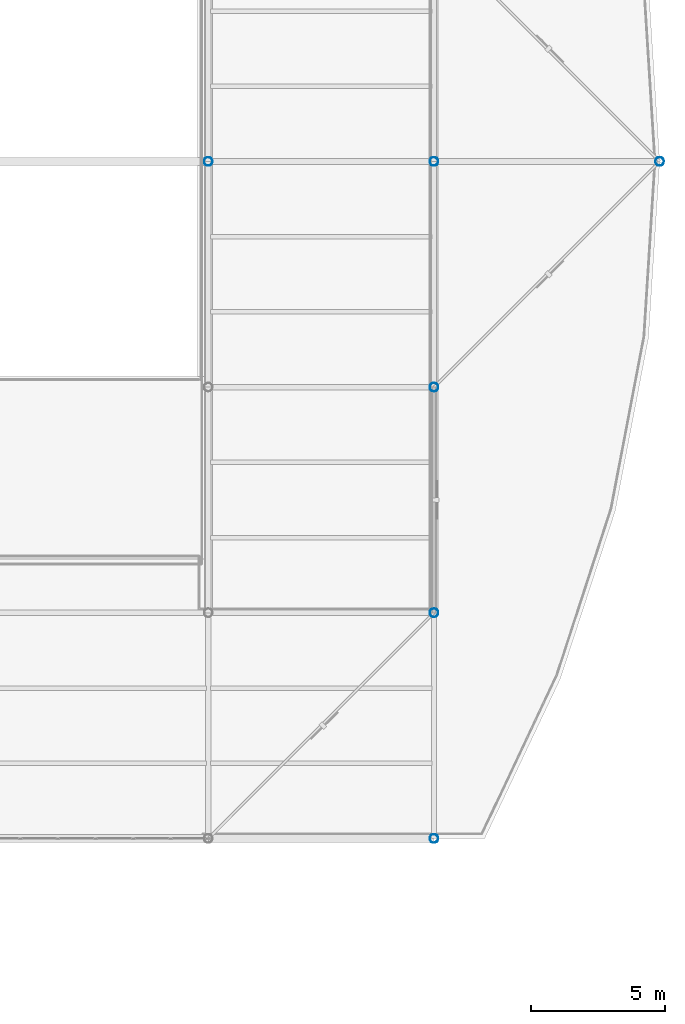
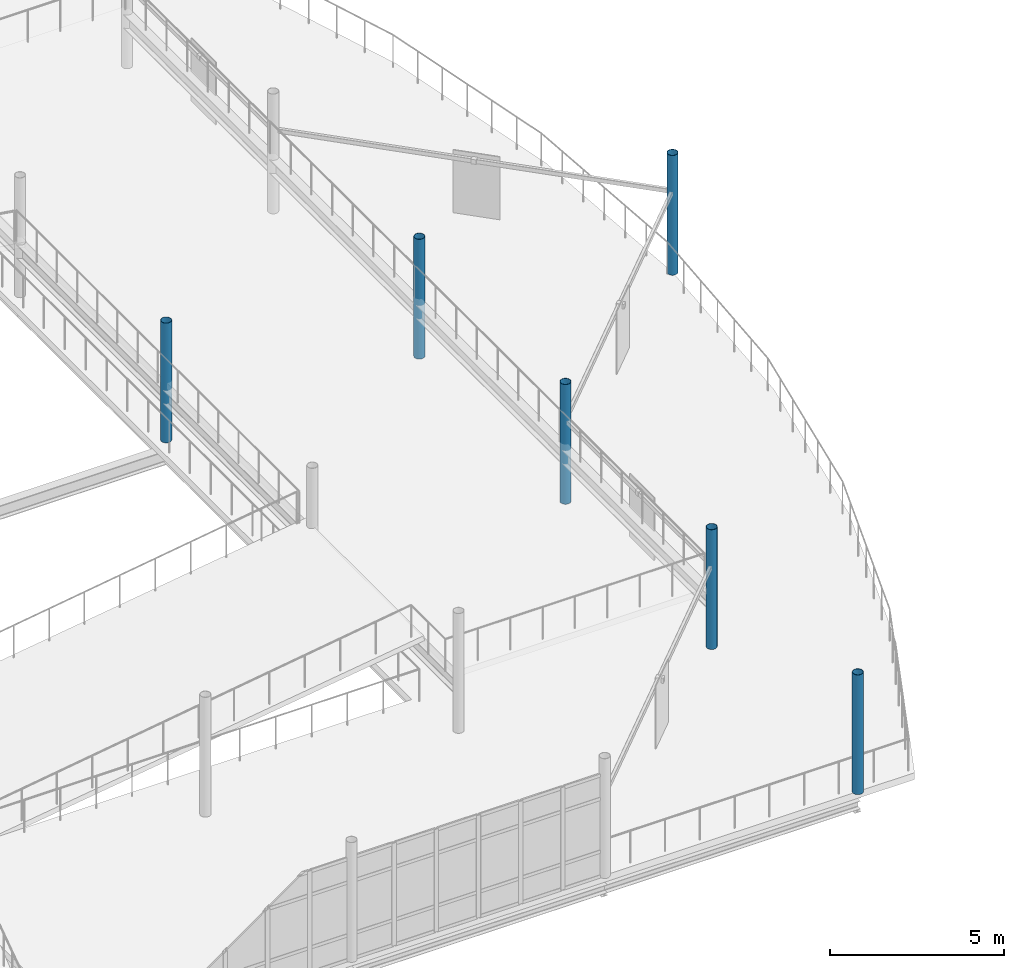
# One storey, part 12 of 69: 6 columns.
"""IFC4 building model written with IfcOpenShell, lengths in metres."""

from ifc_helpers import new_model, si_unit, direction, frame, origin, origin_2d, place, context, subcontext, project, spatial, hollow_circle, extrude, material, material_profile, profile_set, type_object, element, save


model = new_model("IFC4")

# Units and contexts
model_context = context("Model", 3, precision=1e-05, world=origin(), true_north=direction((0.0, 1.0)))
body_context = subcontext(model_context, "Body", "Model", "MODEL_VIEW")
ifc_project = project(units=[si_unit("LENGTHUNIT", "METRE"), si_unit("AREAUNIT", "SQUARE_METRE"), si_unit("VOLUMEUNIT", "CUBIC_METRE"), si_unit("PLANEANGLEUNIT", "RADIAN"), si_unit("MASSUNIT", "GRAM", prefix="KILO")], contexts=[model_context])

# Site, building, storey
site_placement = place(None, origin())
site = spatial("IfcSite", under=ifc_project, at=site_placement, CompositionType="ELEMENT")
building_placement = place(site_placement, origin())
building = spatial("IfcBuilding", under=site, at=building_placement, Name="Qalvenar Corner Mobility Hub", CompositionType="ELEMENT")
storey_placement = place(building_placement, frame((0.0, 0.0, 13.199951171875)))
storey = spatial("IfcBuildingStorey", under=building, at=storey_placement, Name="L03", CompositionType="ELEMENT", Elevation=13.199951171875)

# Columns
ifc_material = material(Name="Steel S355", Category="steel")
ifc_material_profile = material_profile(ifc_material, hollow_circle(Radius=0.161865234375, WallThickness=0.010009765625, at=origin_2d()), Name="CHS323.9x10")
ifc_profile_set = profile_set([ifc_material_profile], Name="Steel S355")
column_type = type_object("IfcColumnType", Name="COL-CHS323", PredefinedType="COLUMN", material=ifc_profile_set)
for number, where, z_axis, x_axis, name in (
    (1, (159.60009765625, 92.39990234375, 0.0), (0.0, 0.0, 1.0), (1.0, 0.0, 0.0), "Steel Column L03-G20-11"),
    (2, (168.0, 67.199951171875, 0.0), (0.0, 0.0, 1.0), (1.0, 0.0, 0.0), "Steel Column L03-G21-8"),
    (3, (168.0, 75.60009765625, 0.0), (0.0, 0.0, 1.0), (1.0, 0.0, 0.0), "Steel Column L03-G21-9"),
    (4, (168.0, 84.0, 0.0), (0.0, 0.0, 1.0), (1.0, 0.0, 0.0), "Steel Column L03-G21-10"),
    (5, (168.0, 92.39990234375, 0.0), (0.0, 0.0, 1.0), (1.0, 0.0, 0.0), "Steel Column L03-G21-11"),
    (6, (176.39990234375, 92.39990234375, 0.0), (0.0, 0.0, 1.0), (1.0, 0.0, 0.0), "Steel Column L03-G22-11"),
):
    element("IfcColumn", number, at=place(storey_placement, frame(where, z_axis=z_axis, x_axis=x_axis)), inside=storey, type_object=column_type, Name=name, PredefinedType="COLUMN", context=body_context, shape_type="SweptSolid", body=[
        extrude(hollow_circle(Radius=0.161865234375, WallThickness=0.010009765625, at=origin_2d()), origin(), (0.0, 0.0, 1.0), 4.199951171875),
    ])

save(model, "model.ifc")
